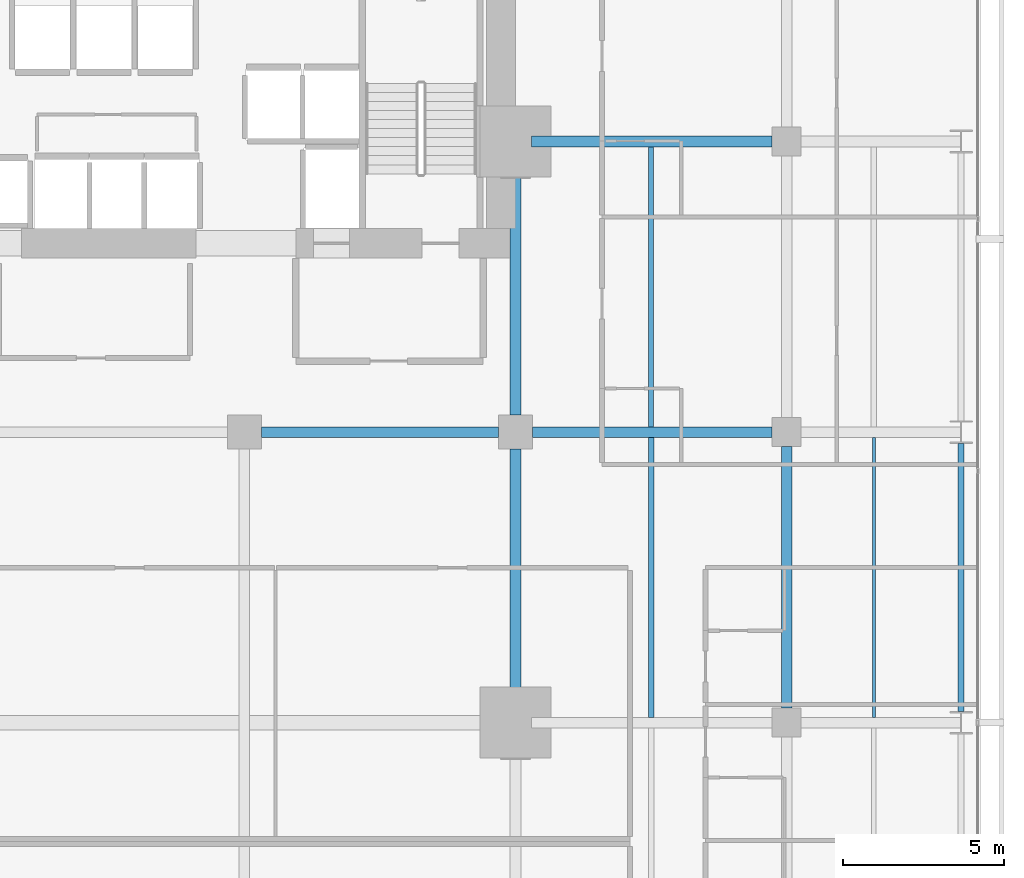
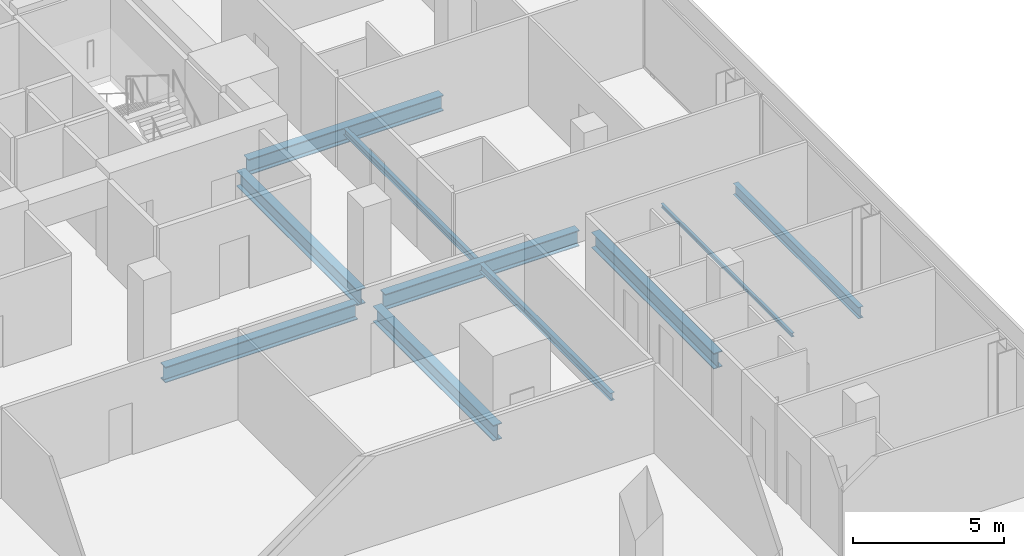
# One storey, part 27 of 40: 10 beams.
"""IFC4 building model written with IfcOpenShell, lengths in metres."""

from ifc_helpers import new_model, si_unit, direction, frame, origin, origin_2d, place, context, subcontext, project, spatial, i_section, extrude, material, material_profile, profile_set, type_object, element, save


model = new_model("IFC4")

# Units and contexts
model_context = context("Model", 3, precision=1e-05, world=origin(), true_north=direction((0.0, 1.0)))
body_context = subcontext(model_context, "Body", "Model", "MODEL_VIEW")
ifc_project = project(units=[si_unit("LENGTHUNIT", "METRE"), si_unit("AREAUNIT", "SQUARE_METRE"), si_unit("VOLUMEUNIT", "CUBIC_METRE"), si_unit("PLANEANGLEUNIT", "RADIAN"), si_unit("MASSUNIT", "GRAM", prefix="KILO")], contexts=[model_context])

# Site, building, storey
site_placement = place(None, origin())
site = spatial("IfcSite", under=ifc_project, at=site_placement, CompositionType="ELEMENT")
building_placement = place(site_placement, origin())
building = spatial("IfcBuilding", under=site, at=building_placement, Name="Maruvema Waterfront Hotel and Observation Tower", CompositionType="ELEMENT")
storey_placement = place(building_placement, frame((0.0, 0.0, 30.800048828125)))
storey = spatial("IfcBuildingStorey", under=building, at=storey_placement, Name="L06", CompositionType="ELEMENT", Elevation=30.800048828125)

# Beams
ifc_material_1 = material(Name="Steel ASTM A572 Grade 50", Category="steel")
ifc_material_profile_1 = material_profile(ifc_material_1, i_section(OverallWidth=0.18994140625, OverallDepth=0.45703125, WebThickness=0.009033203125, FlangeThickness=0.014404296875, FilletRadius=0.014892578125, at=origin_2d()), Name="W460x74.0")
ifc_profile_set_1 = profile_set([ifc_material_profile_1], Name="Steel ASTM A572 Grade 50")
beam_type_1 = type_object("IfcBeamType", Name="Perimeter Spandrel Beam W460x74.0", PredefinedType="SPANDREL", material=ifc_profile_set_1)
beam_1_placement = place(storey_placement, frame((64.199951171875, 27.35009765625, -0.468505859375), z_axis=(0.0, 1.0, 0.0), x_axis=(-1.0, 0.0, 0.0)))
element("IfcBeam", 1, at=beam_1_placement, inside=storey, type_object=beam_type_1, Name="L06 Floor Girder NS-35", PredefinedType="SPANDREL", context=body_context, shape_type="SweptSolid", body=[
    extrude(i_section(OverallWidth=0.18994140625, OverallDepth=0.45703125, WebThickness=0.009033203125, FlangeThickness=0.014404296875, FilletRadius=0.014892578125, at=origin_2d()), origin(), (0.0, 0.0, 1.0), 8.2998046875),
])
ifc_material_2 = material(Name="Steel ASTM A572 Grade 50", Category="steel")
ifc_material_profile_2 = material_profile(ifc_material_2, i_section(OverallWidth=0.3291015625, OverallDepth=0.635009765625, WebThickness=0.017822265625, FlangeThickness=0.031005859375, FilletRadius=0.01806640625, at=origin_2d()), Name="W610x241.0")
ifc_profile_set_2 = profile_set([ifc_material_profile_2], Name="Steel ASTM A572 Grade 50")
beam_type_2 = type_object("IfcBeamType", Name="Primary Floor Girder W610x241.0", PredefinedType="BEAM", material=ifc_profile_set_2)
beam_2_placement = place(storey_placement, frame((42.52490234375, 36.0, -0.5576171875), z_axis=(1.0, 0.0, 0.0), x_axis=(0.0, 1.0, 0.0)))
element("IfcBeam", 2, at=beam_2_placement, inside=storey, type_object=beam_type_2, Name="L06 Floor Girder EW-29", PredefinedType="BEAM", context=body_context, shape_type="SweptSolid", body=[
    extrude(i_section(OverallWidth=0.3291015625, OverallDepth=0.635009765625, WebThickness=0.017822265625, FlangeThickness=0.031005859375, FilletRadius=0.01806640625, at=origin_2d()), origin(), (0.0, 0.0, 1.0), 7.35009765625),
])
beam_3_placement = place(storey_placement, frame((50.925048828125, 36.0, -0.5576171875), z_axis=(1.0, 0.0, 0.0), x_axis=(0.0, 1.0, 0.0)))
element("IfcBeam", 3, at=beam_3_placement, inside=storey, type_object=beam_type_2, Name="L06 Floor Girder EW-30", PredefinedType="BEAM", context=body_context, shape_type="SweptSolid", body=[
    extrude(i_section(OverallWidth=0.3291015625, OverallDepth=0.635009765625, WebThickness=0.017822265625, FlangeThickness=0.031005859375, FilletRadius=0.01806640625, at=origin_2d()), origin(), (0.0, 0.0, 1.0), 7.425048828125),
])
beam_4_placement = place(storey_placement, frame((50.89990234375, 45.0, -0.5576171875), z_axis=(1.0, 0.0, 0.0), x_axis=(0.0, 1.0, 0.0)))
element("IfcBeam", 4, at=beam_4_placement, inside=storey, type_object=beam_type_2, Name="L06 Floor Girder EW-34", PredefinedType="BEAM", context=body_context, shape_type="SweptSolid", body=[
    extrude(i_section(OverallWidth=0.3291015625, OverallDepth=0.635009765625, WebThickness=0.017822265625, FlangeThickness=0.031005859375, FilletRadius=0.01806640625, at=origin_2d()), origin(), (0.0, 0.0, 1.0), 7.4501953125),
])
for number, where, z_axis, x_axis, name in (
    (5, (50.39990234375, 27.5, -0.5576171875), (0.0, 1.0, 0.0), (-1.0, 0.0, 0.0), "L06 Floor Girder NS-25"),
    (6, (50.39990234375, 36.52490234375, -0.5576171875), (0.0, 1.0, 0.0), (-1.0, 0.0, 0.0), "L06 Floor Girder NS-26"),
):
    element("IfcBeam", number, at=place(storey_placement, frame(where, z_axis=z_axis, x_axis=x_axis)), inside=storey, type_object=beam_type_2, Name=name, PredefinedType="BEAM", context=body_context, shape_type="SweptSolid", body=[
        extrude(i_section(OverallWidth=0.3291015625, OverallDepth=0.635009765625, WebThickness=0.017822265625, FlangeThickness=0.031005859375, FilletRadius=0.01806640625, at=origin_2d()), origin(), (0.0, 0.0, 1.0), 7.97509765625),
    ])
beam_5_placement = place(storey_placement, frame((58.800048828125, 27.449951171875, -0.5576171875), z_axis=(0.0, 1.0, 0.0), x_axis=(-1.0, 0.0, 0.0)))
element("IfcBeam", 7, at=beam_5_placement, inside=storey, type_object=beam_type_2, Name="L06 Floor Girder NS-30", PredefinedType="BEAM", context=body_context, shape_type="SweptSolid", body=[
    extrude(i_section(OverallWidth=0.3291015625, OverallDepth=0.635009765625, WebThickness=0.017822265625, FlangeThickness=0.031005859375, FilletRadius=0.01806640625, at=origin_2d()), origin(), (0.0, 0.0, 1.0), 8.10009765625),
])
ifc_material_3 = material(Name="Steel ASTM A572 Grade 50", Category="steel")
ifc_material_profile_3 = material_profile(ifc_material_3, i_section(OverallWidth=0.10009765625, OverallDepth=0.153076171875, WebThickness=0.005859375, FlangeThickness=0.007080078125, FilletRadius=0.008056640625, at=origin_2d()), Name="W150x18.0")
ifc_profile_set_3 = profile_set([ifc_material_profile_3], Name="Steel ASTM A572 Grade 50")
beam_type_3 = type_object("IfcBeamType", Name="Secondary Floor Joist W150x18.0", PredefinedType="JOIST", material=ifc_profile_set_3)
beam_6_placement = place(storey_placement, frame((61.5, 27.16455078125, -0.316650390625), z_axis=(0.0, 1.0, 0.0), x_axis=(-1.0, 0.0, 0.0)))
element("IfcBeam", 8, at=beam_6_placement, inside=storey, type_object=beam_type_3, Name="L06 Secondary Floor Joist JS-23", PredefinedType="JOIST", context=body_context, shape_type="SweptSolid", body=[
    extrude(i_section(OverallWidth=0.10009765625, OverallDepth=0.153076171875, WebThickness=0.005859375, FlangeThickness=0.007080078125, FilletRadius=0.008056640625, at=origin_2d()), origin(), (0.0, 0.0, 1.0), 8.6708984375),
])
ifc_material_4 = material(Name="Steel ASTM A572 Grade 50", Category="steel")
ifc_material_profile_4 = material_profile(ifc_material_4, i_section(OverallWidth=0.14794921875, OverallDepth=0.26611328125, WebThickness=0.007568359375, FlangeThickness=0.012939453125, FilletRadius=0.012939453125, at=origin_2d()), Name="W250x44.8")
ifc_profile_set_4 = profile_set([ifc_material_profile_4], Name="Steel ASTM A572 Grade 50")
beam_type_4 = type_object("IfcBeamType", Name="Secondary Floor Joist W250x44.8", PredefinedType="JOIST", material=ifc_profile_set_4)
beam_7_placement = place(storey_placement, frame((54.60009765625, 36.16455078125, -0.373046875), z_axis=(0.0, 1.0, 0.0), x_axis=(-1.0, 0.0, 0.0)))
element("IfcBeam", 9, at=beam_7_placement, inside=storey, type_object=beam_type_4, Name="L06 Secondary Floor Joist JS-20", PredefinedType="JOIST", context=body_context, shape_type="SweptSolid", body=[
    extrude(i_section(OverallWidth=0.14794921875, OverallDepth=0.26611328125, WebThickness=0.007568359375, FlangeThickness=0.012939453125, FilletRadius=0.012939453125, at=origin_2d()), origin(), (0.0, 0.0, 1.0), 8.6708984375),
])
ifc_material_5 = material(Name="Steel ASTM A572 Grade 50", Category="steel")
ifc_material_profile_5 = material_profile(ifc_material_5, i_section(OverallWidth=0.1650390625, OverallDepth=0.31005859375, WebThickness=0.005859375, FlangeThickness=0.009765625, FilletRadius=0.012939453125, at=origin_2d()), Name="W310x38.7")
ifc_profile_set_5 = profile_set([ifc_material_profile_5], Name="Steel ASTM A572 Grade 50")
beam_type_5 = type_object("IfcBeamType", Name="Secondary Floor Joist W310x38.7", PredefinedType="JOIST", material=ifc_profile_set_5)
beam_8_placement = place(storey_placement, frame((54.60009765625, 27.16455078125, -0.39501953125), z_axis=(0.0, 1.0, 0.0), x_axis=(-1.0, 0.0, 0.0)))
element("IfcBeam", 10, at=beam_8_placement, inside=storey, type_object=beam_type_5, Name="L06 Secondary Floor Joist JS-19", PredefinedType="JOIST", context=body_context, shape_type="SweptSolid", body=[
    extrude(i_section(OverallWidth=0.1650390625, OverallDepth=0.31005859375, WebThickness=0.005859375, FlangeThickness=0.009765625, FilletRadius=0.012939453125, at=origin_2d()), origin(), (0.0, 0.0, 1.0), 8.6708984375),
])

save(model, "model.ifc")
